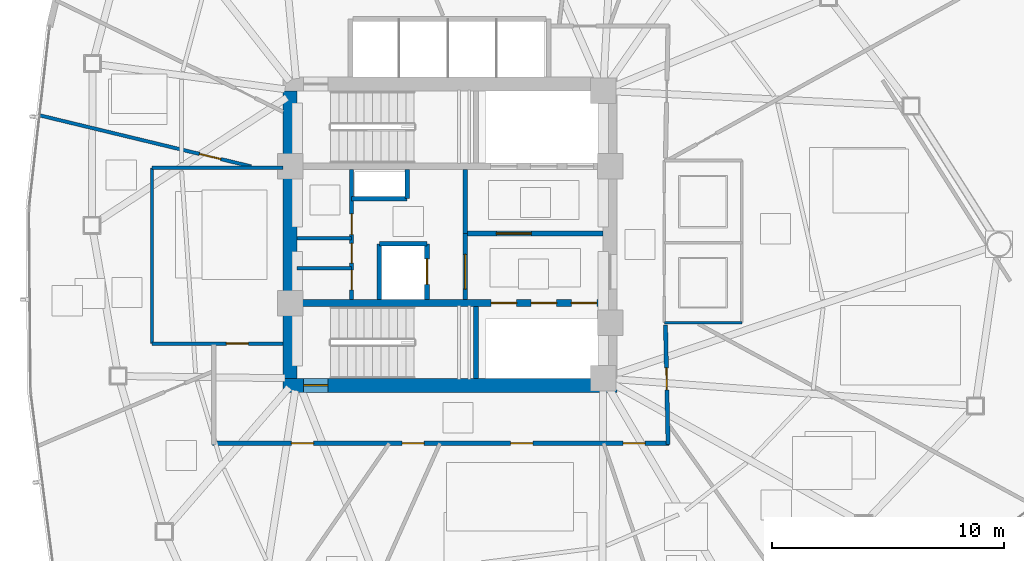
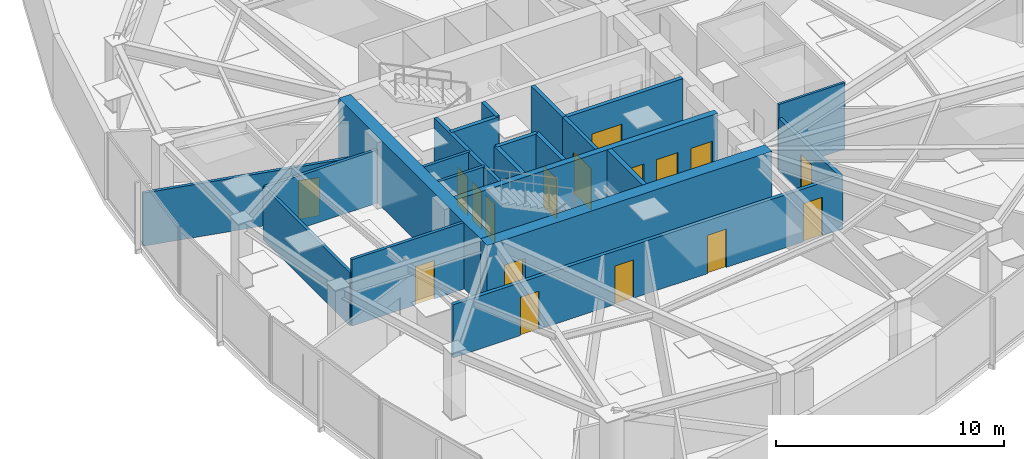
# One storey, part 12 of 18: 22 walls, 17 doors, 17 openings.
"""IFC4 building model written with IfcOpenShell, lengths in metres."""

from ifc_helpers import new_model, si_unit, direction, frame, frame_2d, origin, place, context, subcontext, project, spatial, rectangle, extrude, material, layer, layer_set, type_object, element, fill, save


model = new_model("IFC4")

# Units and contexts
model_context = context("Model", 3, precision=1e-05, world=origin(), true_north=direction((0.0, 1.0)))
body_context = subcontext(model_context, "Body", "Model", "MODEL_VIEW")
ifc_project = project(units=[si_unit("LENGTHUNIT", "METRE"), si_unit("AREAUNIT", "SQUARE_METRE"), si_unit("VOLUMEUNIT", "CUBIC_METRE"), si_unit("PLANEANGLEUNIT", "RADIAN"), si_unit("MASSUNIT", "GRAM", prefix="KILO")], contexts=[model_context])

# Site, building, storey
site_placement = place(None, origin())
site = spatial("IfcSite", under=ifc_project, at=site_placement, CompositionType="ELEMENT")
building_placement = place(site_placement, origin())
building = spatial("IfcBuilding", under=site, at=building_placement, Name="Tavelor Broadcast Tower", CompositionType="ELEMENT")
storey_placement = place(building_placement, frame((0.0, 0.0, 146.39990234375)))
storey = spatial("IfcBuildingStorey", under=building, at=storey_placement, Name="L34", CompositionType="ELEMENT", Elevation=146.39990234375)

# Wall, opening, door
ifc_material_1 = material(Name="Concrete C60/75", Category="concrete")
ifc_layer_1 = layer(ifc_material_1, 0.60009765625)
ifc_layer_set_1 = layer_set([ifc_layer_1], Name="Concrete C60/75")
wall_type_1 = type_object("IfcWallType", Name="Core Shear Wall 600 mm", PredefinedType="SHEAR", material=ifc_layer_set_1)
wall_1_placement = place(storey_placement, frame((42.800048828125, 38.5, 0.0), z_axis=(0.0, 0.0, 1.0), x_axis=(1.0, 0.0, 0.0)))
wall_1 = element("IfcWall", 1, at=wall_1_placement, inside=storey, type_object=wall_type_1, Name="L34 Central Core Shear Wall S", PredefinedType="SHEAR", context=body_context, shape_type="SweptSolid", body=[
    extrude(rectangle(XDim=14.39990234375, YDim=0.60009765625, at=frame_2d((7.199951171875, 0.0))), origin(), (0.0, 0.0, 1.0), 3.550048828125),
])
opening_1_placement = place(wall_1_placement, frame((0.8798828125, 0.0, 0.0)))
opening_1 = element("IfcOpeningElement", 2, at=opening_1_placement, cuts=wall_1, Name="Opening DR11", PredefinedType="OPENING", context=body_context, shape_type="SweptSolid", body=[
    extrude(rectangle(XDim=1.050048828125, YDim=2.199951171875, at=frame_2d((0.52490234375, 1.10009765625))), frame((0.0, 0.31005859375, 0.0), z_axis=(0.0, -1.0, 0.0), x_axis=(1.0, 0.0, 0.0)), (0.0, 0.0, 1.0), 0.6201171875),
])
ifc_material_2 = material(Name="Steel S355", Category="steel")
door_type_1 = type_object("IfcDoorType", Name="Stair Core Fire Escape Door 1050x2200", OperationType="NOTDEFINED", PredefinedType="DOOR", material=ifc_material_2)
door_1_placement = place(opening_1_placement, origin())
door_1 = element("IfcDoor", 3, at=door_1_placement, inside=storey, type_object=door_type_1, Name="L34 Stair ST2 Protected Exit Door", OperationType="SINGLE_SWING_RIGHT", OverallHeight=2.199951171875, OverallWidth=1.050048828125, PredefinedType="DOOR", context=body_context, shape_type="SweptSolid", body=[
    extrude(rectangle(XDim=1.050048828125, YDim=2.199951171875, at=frame_2d((0.52490234375, 1.10009765625))), frame((0.0, 0.02490234375, 0.0), z_axis=(0.0, -1.0, 0.0), x_axis=(1.0, 0.0, 0.0)), (0.0, 0.0, 1.0), 0.050048828125),
])
fill(opening_1, door_1)

# Wall
wall_2_placement = place(storey_placement, frame((43.10009765625, 38.800048828125, 0.0), z_axis=(0.0, 0.0, 1.0), x_axis=(0.0, 1.0, 0.0)))
element("IfcWall", 4, at=wall_2_placement, inside=storey, type_object=wall_type_1, Name="L34 Central Core Shear Wall W", PredefinedType="SHEAR", context=body_context, shape_type="SweptSolid", body=[
    extrude(rectangle(XDim=12.39990234375, YDim=0.60009765625, at=frame_2d((6.199951171875, 0.0))), origin(), (0.0, 0.0, 1.0), 3.550048828125),
])

# Wall, openings, doors
ifc_layer_2 = layer(ifc_material_1, 0.300048828125)
ifc_layer_set_2 = layer_set([ifc_layer_2], Name="Concrete C60/75")
wall_type_2 = type_object("IfcWallType", Name="Core Spine Shear Wall 300 mm C60", PredefinedType="SHEAR", material=ifc_layer_set_2)
wall_3_placement = place(storey_placement, frame((43.39990234375, 42.050048828125, 0.0), z_axis=(0.0, 0.0, 1.0), x_axis=(1.0, 0.0, 0.0)))
wall_3 = element("IfcWall", 5, at=wall_3_placement, inside=storey, type_object=wall_type_2, Name="L34 Central Core Shear Wall SP2", PredefinedType="SHEAR", context=body_context, shape_type="SweptSolid", body=[
    extrude(rectangle(XDim=13.2001953125, YDim=0.300048828125, at=frame_2d((6.60009765625, 0.0))), origin(), (0.0, 0.0, 1.0), 3.550048828125),
])
opening_2_placement = place(wall_3_placement, frame((8.3701171875, 0.0, 0.0)))
opening_2 = element("IfcOpeningElement", 6, at=opening_2_placement, cuts=wall_3, Name="Opening LD01", PredefinedType="OPENING", context=body_context, shape_type="SweptSolid", body=[
    extrude(rectangle(XDim=1.10009765625, YDim=2.14990234375, at=frame_2d((0.550048828125, 1.074951171875))), frame((0.0, 0.16015625, 0.0), z_axis=(0.0, -1.0, 0.0), x_axis=(1.0, 0.0, 0.0)), (0.0, 0.0, 1.0), 0.320068359375),
])
opening_3_placement = place(wall_3_placement, frame((10.090087890625, 0.0, 0.0)))
opening_3 = element("IfcOpeningElement", 7, at=opening_3_placement, cuts=wall_3, Name="Opening LD01", PredefinedType="OPENING", context=body_context, shape_type="SweptSolid", body=[
    extrude(rectangle(XDim=1.10009765625, YDim=2.14990234375, at=frame_2d((0.550048828125, 1.074951171875))), frame((0.0, 0.16015625, 0.0), z_axis=(0.0, -1.0, 0.0), x_axis=(1.0, 0.0, 0.0)), (0.0, 0.0, 1.0), 0.320068359375),
])
opening_4_placement = place(wall_3_placement, frame((11.830078125, 0.0, 0.0)))
opening_4 = element("IfcOpeningElement", 8, at=opening_4_placement, cuts=wall_3, Name="Opening LD01", PredefinedType="OPENING", context=body_context, shape_type="SweptSolid", body=[
    extrude(rectangle(XDim=1.10009765625, YDim=2.14990234375, at=frame_2d((0.550048828125, 1.074951171875))), frame((0.0, 0.16015625, 0.0), z_axis=(0.0, -1.0, 0.0), x_axis=(1.0, 0.0, 0.0)), (0.0, 0.0, 1.0), 0.320068359375),
])
ifc_material_3 = material(Name="Brushed Stainless Steel", Category="steel")
door_type_2 = type_object("IfcDoorType", Name="Passenger Lift Sliding Landing Door 1100x2150", OperationType="NOTDEFINED", PredefinedType="DOOR", material=ifc_material_3)
door_2_placement = place(opening_2_placement, origin())
door_2 = element("IfcDoor", 9, at=door_2_placement, inside=storey, type_object=door_type_2, Name="L34 Lift PLM1 Sliding Landing Door", OperationType="SLIDING_TO_LEFT", OverallHeight=2.14990234375, OverallWidth=1.10009765625, PredefinedType="DOOR", context=body_context, shape_type="SweptSolid", body=[
    extrude(rectangle(XDim=1.10009765625, YDim=2.14990234375, at=frame_2d((0.550048828125, 1.074951171875))), frame((0.0, 0.02490234375, 0.0), z_axis=(0.0, -1.0, 0.0), x_axis=(1.0, 0.0, 0.0)), (0.0, 0.0, 1.0), 0.050048828125),
])
fill(opening_2, door_2)
door_3_placement = place(opening_3_placement, origin())
door_3 = element("IfcDoor", 10, at=door_3_placement, inside=storey, type_object=door_type_2, Name="L34 Lift PLM2 Sliding Landing Door", OperationType="SLIDING_TO_LEFT", OverallHeight=2.14990234375, OverallWidth=1.10009765625, PredefinedType="DOOR", context=body_context, shape_type="SweptSolid", body=[
    extrude(rectangle(XDim=1.10009765625, YDim=2.14990234375, at=frame_2d((0.550048828125, 1.074951171875))), frame((0.0, 0.02490234375, 0.0), z_axis=(0.0, -1.0, 0.0), x_axis=(1.0, 0.0, 0.0)), (0.0, 0.0, 1.0), 0.050048828125),
])
fill(opening_3, door_3)
door_4_placement = place(opening_4_placement, origin())
door_4 = element("IfcDoor", 11, at=door_4_placement, inside=storey, type_object=door_type_2, Name="L34 Lift PLM3 Sliding Landing Door", OperationType="SLIDING_TO_LEFT", OverallHeight=2.14990234375, OverallWidth=1.10009765625, PredefinedType="DOOR", context=body_context, shape_type="SweptSolid", body=[
    extrude(rectangle(XDim=1.10009765625, YDim=2.14990234375, at=frame_2d((0.550048828125, 1.074951171875))), frame((0.0, 0.02490234375, 0.0), z_axis=(0.0, -1.0, 0.0), x_axis=(1.0, 0.0, 0.0)), (0.0, 0.0, 1.0), 0.050048828125),
])
fill(opening_4, door_4)

# Wall, opening, door
ifc_material_4 = material(Name="Calcium Silicate Fire Board 180 mm", Category="gypsum")
ifc_layer_3 = layer(ifc_material_4, 0.179931640625)
ifc_layer_set_3 = layer_set([ifc_layer_3], Name="Calcium Silicate Fire Board 180 mm")
wall_type_3 = type_object("IfcWallType", Name="Fire-Rated Corridor Partition Wall 180 mm", PredefinedType="PARTITIONING", material=ifc_layer_set_3)
wall_4_placement = place(storey_placement, frame((50.64990234375, 42.199951171875, 0.0), z_axis=(0.0, 0.0, 1.0), x_axis=(0.0, 1.0, 0.0)))
wall_4 = element("IfcWall", 12, at=wall_4_placement, inside=storey, type_object=wall_type_3, Name="L34 Core Lobby Zoning Wall", PredefinedType="PARTITIONING", context=body_context, shape_type="SweptSolid", body=[
    extrude(rectangle(XDim=2.85009765625, YDim=0.179931640625, at=frame_2d((1.425048828125, 0.0))), origin(), (0.0, 0.0, 1.0), 3.550048828125),
])
opening_5_placement = place(wall_4_placement, frame((0.449951171875, 0.0, 0.0)))
opening_5 = element("IfcOpeningElement", 13, at=opening_5_placement, cuts=wall_4, Name="Opening DR14", PredefinedType="OPENING", context=body_context, shape_type="SweptSolid", body=[
    extrude(rectangle(XDim=1.5, YDim=2.199951171875, at=frame_2d((0.75, 1.10009765625))), frame((0.0, 0.10009765625, 0.0), z_axis=(0.0, -1.0, 0.0), x_axis=(1.0, 0.0, 0.0)), (0.0, 0.0, 1.0), 0.199951171875),
])
door_type_3 = type_object("IfcDoorType", Name="Firefighting Lobby Double Fire Door 1500x2200", OperationType="NOTDEFINED", PredefinedType="DOOR", material=ifc_material_2)
door_5_placement = place(opening_5_placement, origin())
door_5 = element("IfcDoor", 14, at=door_5_placement, inside=storey, type_object=door_type_3, Name="L34 Core West Lobby Double Fire Door", OperationType="SINGLE_SWING_LEFT", OverallHeight=2.199951171875, OverallWidth=1.5, PredefinedType="DOOR", context=body_context, shape_type="SweptSolid", body=[
    extrude(rectangle(XDim=1.5, YDim=2.199951171875, at=frame_2d((0.75, 1.10009765625))), frame((0.0, 0.02490234375, 0.0), z_axis=(0.0, -1.0, 0.0), x_axis=(1.0, 0.0, 0.0)), (0.0, 0.0, 1.0), 0.050048828125),
])
fill(opening_5, door_5)

# Wall, openings, doors
wall_5_placement = place(storey_placement, frame((45.75, 42.199951171875, 0.0), z_axis=(0.0, 0.0, 1.0), x_axis=(0.0, 1.0, 0.0)))
wall_5 = element("IfcWall", 15, at=wall_5_placement, inside=storey, type_object=wall_type_3, Name="L34 Core West Service East Wall", PredefinedType="PARTITIONING", context=body_context, shape_type="SweptSolid", body=[
    extrude(rectangle(XDim=5.60009765625, YDim=0.179931640625, at=frame_2d((2.800048828125, 0.0))), origin(), (0.0, 0.0, 1.0), 3.550048828125),
])
opening_6_placement = place(wall_5_placement, frame((0.419921875, 0.0, 0.0)))
opening_6 = element("IfcOpeningElement", 16, at=opening_6_placement, cuts=wall_5, Name="Opening DR36", PredefinedType="OPENING", context=body_context, shape_type="SweptSolid", body=[
    extrude(rectangle(XDim=0.85009765625, YDim=2.050048828125, at=frame_2d((0.425048828125, 1.02490234375))), frame((0.0, 0.10009765625, 0.0), z_axis=(0.0, -1.0, 0.0), x_axis=(1.0, 0.0, 0.0)), (0.0, 0.0, 1.0), 0.199951171875),
])
opening_7_placement = place(wall_5_placement, frame((1.570068359375, 0.0, 0.0)))
opening_7 = element("IfcOpeningElement", 17, at=opening_7_placement, cuts=wall_5, Name="Opening DR36", PredefinedType="OPENING", context=body_context, shape_type="SweptSolid", body=[
    extrude(rectangle(XDim=0.85009765625, YDim=2.050048828125, at=frame_2d((0.425048828125, 1.02490234375))), frame((0.0, 0.10009765625, 0.0), z_axis=(0.0, -1.0, 0.0), x_axis=(1.0, 0.0, 0.0)), (0.0, 0.0, 1.0), 0.199951171875),
])
opening_8_placement = place(wall_5_placement, frame((2.800048828125, 0.0, 0.0)))
opening_8 = element("IfcOpeningElement", 18, at=opening_8_placement, cuts=wall_5, Name="Opening DR32", PredefinedType="OPENING", context=body_context, shape_type="SweptSolid", body=[
    extrude(rectangle(XDim=0.89990234375, YDim=2.050048828125, at=frame_2d((0.449951171875, 1.02490234375))), frame((0.0, 0.10009765625, 0.0), z_axis=(0.0, -1.0, 0.0), x_axis=(1.0, 0.0, 0.0)), (0.0, 0.0, 1.0), 0.199951171875),
])
ifc_material_5 = material(Name="Timber Solid Core Hardwood", Category="wood")
door_type_4 = type_object("IfcDoorType", Name="Accessible Washroom Door 900x2050", OperationType="NOTDEFINED", PredefinedType="DOOR", material=ifc_material_5)
door_6_placement = place(opening_8_placement, origin())
door_6 = element("IfcDoor", 19, at=door_6_placement, inside=storey, type_object=door_type_4, Name="L34 Core Accessible WC Door", OperationType="SINGLE_SWING_LEFT", OverallHeight=2.050048828125, OverallWidth=0.89990234375, PredefinedType="DOOR", context=body_context, shape_type="SweptSolid", body=[
    extrude(rectangle(XDim=0.89990234375, YDim=2.050048828125, at=frame_2d((0.449951171875, 1.02490234375))), frame((0.0, 0.02490234375, 0.0), z_axis=(0.0, -1.0, 0.0), x_axis=(1.0, 0.0, 0.0)), (0.0, 0.0, 1.0), 0.050048828125),
])
fill(opening_8, door_6)
door_type_5 = type_object("IfcDoorType", Name="Service Room Fire Door 850x2050", OperationType="NOTDEFINED", PredefinedType="DOOR", material=ifc_material_2)
door_7_placement = place(opening_6_placement, origin())
door_7 = element("IfcDoor", 20, at=door_7_placement, inside=storey, type_object=door_type_5, Name="L34 Core Medical Room Door", OperationType="SINGLE_SWING_LEFT", OverallHeight=2.050048828125, OverallWidth=0.85009765625, PredefinedType="DOOR", context=body_context, shape_type="SweptSolid", body=[
    extrude(rectangle(XDim=0.85009765625, YDim=2.050048828125, at=frame_2d((0.425048828125, 1.02490234375))), frame((0.0, 0.02490234375, 0.0), z_axis=(0.0, -1.0, 0.0), x_axis=(1.0, 0.0, 0.0)), (0.0, 0.0, 1.0), 0.050048828125),
])
fill(opening_6, door_7)
door_8_placement = place(opening_7_placement, origin())
door_8 = element("IfcDoor", 21, at=door_8_placement, inside=storey, type_object=door_type_5, Name="L34 Core Copy Room Door", OperationType="SINGLE_SWING_RIGHT", OverallHeight=2.050048828125, OverallWidth=0.85009765625, PredefinedType="DOOR", context=body_context, shape_type="SweptSolid", body=[
    extrude(rectangle(XDim=0.85009765625, YDim=2.050048828125, at=frame_2d((0.425048828125, 1.02490234375))), frame((0.0, 0.02490234375, 0.0), z_axis=(0.0, -1.0, 0.0), x_axis=(1.0, 0.0, 0.0)), (0.0, 0.0, 1.0), 0.050048828125),
])
fill(opening_7, door_8)

# Wall, opening, door
wall_6_placement = place(storey_placement, frame((59.291015625, 41.10009765625, 0.0), z_axis=(0.0, 0.0, 1.0), x_axis=(0.021374589398, -0.999771537366, 0.0)))
wall_6 = element("IfcWall", 22, at=wall_6_placement, inside=storey, type_object=wall_type_3, Name="L34 Corridor Compartment Wall 03", PredefinedType="PARTITIONING", context=body_context, shape_type="SweptSolid", body=[
    extrude(rectangle(XDim=5.1513671875, YDim=0.179931640625, at=frame_2d((2.57568359375, 0.0))), origin(), (0.0, 0.0, 1.0), 2.835205078125),
])
opening_9_placement = place(wall_6_placement, frame((1.8486328125, 0.0, 0.0)))
opening_9 = element("IfcOpeningElement", 23, at=opening_9_placement, cuts=wall_6, Name="Opening DR18", PredefinedType="OPENING", context=body_context, shape_type="SweptSolid", body=[
    extrude(rectangle(XDim=0.949951171875, YDim=2.050048828125, at=frame_2d((0.47509765625, 1.02490234375))), frame((0.0, 0.10009765625, 0.0), z_axis=(0.0, -1.0, 0.0), x_axis=(1.0, 0.0, 0.0)), (0.0, 0.0, 1.0), 0.199951171875),
])
door_type_6 = type_object("IfcDoorType", Name="Corridor Rated Compartment Door 950x2050", OperationType="NOTDEFINED", PredefinedType="DOOR", material=ifc_material_5)
door_9_placement = place(opening_9_placement, origin())
door_9 = element("IfcDoor", 24, at=door_9_placement, inside=storey, type_object=door_type_6, Name="L34 Media Content Workshop Door R1", OperationType="SINGLE_SWING_LEFT", OverallHeight=2.050048828125, OverallWidth=0.949951171875, PredefinedType="DOOR", context=body_context, shape_type="SweptSolid", body=[
    extrude(rectangle(XDim=0.949951171875, YDim=2.050048828125, at=frame_2d((0.47509765625, 1.02490234375))), frame((0.0, 0.02490234375, 0.0), z_axis=(0.0, -1.0, 0.0), x_axis=(1.0, 0.0, 0.0)), (0.0, 0.0, 1.0), 0.050048828125),
])
fill(opening_9, door_9)

# Wall, openings, doors
wall_7_placement = place(storey_placement, frame((59.449951171875, 36.0, 0.0), z_axis=(0.0, 0.0, 1.0), x_axis=(-1.0, 0.0, 0.0)))
wall_7 = element("IfcWall", 25, at=wall_7_placement, inside=storey, type_object=wall_type_3, Name="L34 Corridor Compartment Wall 04", PredefinedType="PARTITIONING", context=body_context, shape_type="SweptSolid", body=[
    extrude(rectangle(XDim=19.699951171875, YDim=0.179931640625, at=frame_2d((9.85009765625, 0.0))), origin(), (0.0, 0.0, 1.0), 2.835205078125),
])
opening_10_placement = place(wall_7_placement, frame((1.03515625, 0.0, 0.0)))
opening_10 = element("IfcOpeningElement", 26, at=opening_10_placement, cuts=wall_7, Name="Opening DR18", PredefinedType="OPENING", context=body_context, shape_type="SweptSolid", body=[
    extrude(rectangle(XDim=0.949951171875, YDim=2.050048828125, at=frame_2d((0.47509765625, 1.02490234375))), frame((0.0, 0.10009765625, 0.0), z_axis=(0.0, -1.0, 0.0), x_axis=(1.0, 0.0, 0.0)), (0.0, 0.0, 1.0), 0.199951171875),
])
opening_11_placement = place(wall_7_placement, frame((5.885498046875, 0.0, 0.0)))
opening_11 = element("IfcOpeningElement", 27, at=opening_11_placement, cuts=wall_7, Name="Opening DR18", PredefinedType="OPENING", context=body_context, shape_type="SweptSolid", body=[
    extrude(rectangle(XDim=0.949951171875, YDim=2.050048828125, at=frame_2d((0.47509765625, 1.02490234375))), frame((0.0, 0.10009765625, 0.0), z_axis=(0.0, -1.0, 0.0), x_axis=(1.0, 0.0, 0.0)), (0.0, 0.0, 1.0), 0.199951171875),
])
opening_12_placement = place(wall_7_placement, frame((10.56689453125, 0.0, 0.0)))
opening_12 = element("IfcOpeningElement", 28, at=opening_12_placement, cuts=wall_7, Name="Opening DR18", PredefinedType="OPENING", context=body_context, shape_type="SweptSolid", body=[
    extrude(rectangle(XDim=0.949951171875, YDim=2.050048828125, at=frame_2d((0.47509765625, 1.02490234375))), frame((0.0, 0.10009765625, 0.0), z_axis=(0.0, -1.0, 0.0), x_axis=(1.0, 0.0, 0.0)), (0.0, 0.0, 1.0), 0.199951171875),
])
opening_13_placement = place(wall_7_placement, frame((15.342529296875, 0.0, 0.0)))
opening_13 = element("IfcOpeningElement", 29, at=opening_13_placement, cuts=wall_7, Name="Opening DR18", PredefinedType="OPENING", context=body_context, shape_type="SweptSolid", body=[
    extrude(rectangle(XDim=0.949951171875, YDim=2.050048828125, at=frame_2d((0.47509765625, 1.02490234375))), frame((0.0, 0.10009765625, 0.0), z_axis=(0.0, -1.0, 0.0), x_axis=(1.0, 0.0, 0.0)), (0.0, 0.0, 1.0), 0.199951171875),
])
door_10_placement = place(opening_10_placement, origin())
door_10 = element("IfcDoor", 30, at=door_10_placement, inside=storey, type_object=door_type_6, Name="L34 Music Mixing Workshop Door R2", OperationType="SINGLE_SWING_RIGHT", OverallHeight=2.050048828125, OverallWidth=0.949951171875, PredefinedType="DOOR", context=body_context, shape_type="SweptSolid", body=[
    extrude(rectangle(XDim=0.949951171875, YDim=2.050048828125, at=frame_2d((0.47509765625, 1.02490234375))), frame((0.0, 0.02490234375, 0.0), z_axis=(0.0, -1.0, 0.0), x_axis=(1.0, 0.0, 0.0)), (0.0, 0.0, 1.0), 0.050048828125),
])
fill(opening_10, door_10)
door_11_placement = place(opening_11_placement, origin())
door_11 = element("IfcDoor", 31, at=door_11_placement, inside=storey, type_object=door_type_6, Name="L34 Quiet Listening Room Door R3", OperationType="SINGLE_SWING_LEFT", OverallHeight=2.050048828125, OverallWidth=0.949951171875, PredefinedType="DOOR", context=body_context, shape_type="SweptSolid", body=[
    extrude(rectangle(XDim=0.949951171875, YDim=2.050048828125, at=frame_2d((0.47509765625, 1.02490234375))), frame((0.0, 0.02490234375, 0.0), z_axis=(0.0, -1.0, 0.0), x_axis=(1.0, 0.0, 0.0)), (0.0, 0.0, 1.0), 0.050048828125),
])
fill(opening_11, door_11)
door_12_placement = place(opening_12_placement, origin())
door_12 = element("IfcDoor", 32, at=door_12_placement, inside=storey, type_object=door_type_6, Name="L34 Broadcast Craft Workshop Door R4", OperationType="SINGLE_SWING_RIGHT", OverallHeight=2.050048828125, OverallWidth=0.949951171875, PredefinedType="DOOR", context=body_context, shape_type="SweptSolid", body=[
    extrude(rectangle(XDim=0.949951171875, YDim=2.050048828125, at=frame_2d((0.47509765625, 1.02490234375))), frame((0.0, 0.02490234375, 0.0), z_axis=(0.0, -1.0, 0.0), x_axis=(1.0, 0.0, 0.0)), (0.0, 0.0, 1.0), 0.050048828125),
])
fill(opening_12, door_12)
door_13_placement = place(opening_13_placement, origin())
door_13 = element("IfcDoor", 33, at=door_13_placement, inside=storey, type_object=door_type_6, Name="L34 Wellness Quiet Room Door R5", OperationType="SINGLE_SWING_LEFT", OverallHeight=2.050048828125, OverallWidth=0.949951171875, PredefinedType="DOOR", context=body_context, shape_type="SweptSolid", body=[
    extrude(rectangle(XDim=0.949951171875, YDim=2.050048828125, at=frame_2d((0.47509765625, 1.02490234375))), frame((0.0, 0.02490234375, 0.0), z_axis=(0.0, -1.0, 0.0), x_axis=(1.0, 0.0, 0.0)), (0.0, 0.0, 1.0), 0.050048828125),
])
fill(opening_13, door_13)

# Walls
ifc_material_6 = material(Name="Gypsum Acoustic Plasterboard 150 mm", Category="gypsum")
ifc_layer_4 = layer(ifc_material_6, 0.14990234375)
ifc_layer_set_4 = layer_set([ifc_layer_4], Name="Gypsum Acoustic Plasterboard 150 mm")
wall_type_4 = type_object("IfcWallType", Name="Interior Acoustic Partition Wall 150 mm", PredefinedType="PARTITIONING", material=ifc_layer_set_4)
for number, where, z_axis, x_axis, name in (
    (34, (43.39990234375, 43.550048828125, 0.0), (0.0, 0.0, 1.0), (1.0, 0.0, 0.0), "L34 Core Split Wall B1"),
    (35, (43.39990234375, 44.85009765625, 0.0), (0.0, 0.0, 1.0), (1.0, 0.0, 0.0), "L34 Core Split Wall B2"),
):
    element("IfcWall", number, at=place(storey_placement, frame(where, z_axis=z_axis, x_axis=x_axis)), inside=storey, type_object=wall_type_4, Name=name, PredefinedType="PARTITIONING", context=body_context, shape_type="SweptSolid", body=[
        extrude(rectangle(XDim=2.35009765625, YDim=0.14990234375, at=frame_2d((1.175048828125, 0.0))), origin(), (0.0, 0.0, 1.0), 3.550048828125),
    ])

# Wall, opening, door
wall_8_placement = place(storey_placement, frame((37.139892578125, 40.300048828125, 0.0), z_axis=(0.0, 0.0, 1.0), x_axis=(1.0, 0.0, 0.0)))
wall_8 = element("IfcWall", 36, at=wall_8_placement, inside=storey, type_object=wall_type_4, Name="L34 Reclaimed Shaft Pantry South Wall", PredefinedType="PARTITIONING", context=body_context, shape_type="SweptSolid", body=[
    extrude(rectangle(XDim=5.66015625, YDim=0.14990234375, at=frame_2d((2.830078125, 0.0))), origin(), (0.0, 0.0, 1.0), 3.550048828125),
])
opening_14_placement = place(wall_8_placement, frame((3.2099609375, 0.0, 0.0)))
opening_14 = element("IfcOpeningElement", 37, at=opening_14_placement, cuts=wall_8, Name="Opening DR18", PredefinedType="OPENING", context=body_context, shape_type="SweptSolid", body=[
    extrude(rectangle(XDim=0.949951171875, YDim=2.050048828125, at=frame_2d((0.47509765625, 1.02490234375))), frame((0.0, 0.0849609375, 0.0), z_axis=(0.0, -1.0, 0.0), x_axis=(1.0, 0.0, 0.0)), (0.0, 0.0, 1.0), 0.169921875),
])
door_14_placement = place(opening_14_placement, origin())
door_14 = element("IfcDoor", 38, at=door_14_placement, inside=storey, type_object=door_type_6, Name="L34 Broadcast IT Patch and Pantry Door", OperationType="SINGLE_SWING_LEFT", OverallHeight=2.050048828125, OverallWidth=0.949951171875, PredefinedType="DOOR", context=body_context, shape_type="SweptSolid", body=[
    extrude(rectangle(XDim=0.949951171875, YDim=2.050048828125, at=frame_2d((0.47509765625, 1.02490234375))), frame((0.0, 0.02490234375, 0.0), z_axis=(0.0, -1.0, 0.0), x_axis=(1.0, 0.0, 0.0)), (0.0, 0.0, 1.0), 0.050048828125),
])
fill(opening_14, door_14)

# Walls
wall_9_placement = place(storey_placement, frame((37.139892578125, 40.300048828125, 0.0), z_axis=(0.0, 0.0, 1.0), x_axis=(0.0, 1.0, 0.0)))
element("IfcWall", 39, at=wall_9_placement, inside=storey, type_object=wall_type_4, Name="L34 Reclaimed Shaft Pantry West Wall", PredefinedType="PARTITIONING", context=body_context, shape_type="SweptSolid", body=[
    extrude(rectangle(XDim=7.579833984375, YDim=0.14990234375, at=frame_2d((3.7900390625, 0.0))), origin(), (0.0, 0.0, 1.0), 2.835205078125),
])
wall_10_placement = place(storey_placement, frame((37.139892578125, 47.8798828125, 0.0), z_axis=(0.0, 0.0, 1.0), x_axis=(1.0, 0.0, 0.0)))
element("IfcWall", 40, at=wall_10_placement, inside=storey, type_object=wall_type_4, Name="L34 Reclaimed Shaft Pantry North Wall", PredefinedType="PARTITIONING", context=body_context, shape_type="SweptSolid", body=[
    extrude(rectangle(XDim=5.66015625, YDim=0.14990234375, at=frame_2d((2.830078125, 0.0))), origin(), (0.0, 0.0, 1.0), 2.835205078125),
])

# Wall, opening, door
wall_11_placement = place(storey_placement, frame((41.42578125, 47.93994140625, 0.0), z_axis=(0.0, 0.0, 1.0), x_axis=(-0.972057104036, 0.234744513233, 0.0)))
wall_11 = element("IfcWall", 41, at=wall_11_placement, inside=storey, type_object=wall_type_4, Name="L34 Radial Compartment Wall 06", PredefinedType="PARTITIONING", context=body_context, shape_type="SweptSolid", body=[
    extrude(rectangle(XDim=9.41015625, YDim=0.14990234375, at=frame_2d((4.705078125, 0.0))), origin(), (0.0, 0.0, 1.0), 2.835205078125),
])
opening_15_placement = place(wall_11_placement, frame((1.35009765625, 0.0, 0.0)))
opening_15 = element("IfcOpeningElement", 42, at=opening_15_placement, cuts=wall_11, Name="Opening DR18", PredefinedType="OPENING", context=body_context, shape_type="SweptSolid", body=[
    extrude(rectangle(XDim=0.949951171875, YDim=2.050048828125, at=frame_2d((0.47509765625, 1.02490234375))), frame((0.0, 0.0849609375, 0.0), z_axis=(0.0, -1.0, 0.0), x_axis=(1.0, 0.0, 0.0)), (0.0, 0.0, 1.0), 0.169921875),
])
door_15_placement = place(opening_15_placement, origin())
door_15 = element("IfcDoor", 43, at=door_15_placement, inside=storey, type_object=door_type_6, Name="L34 Suite Connecting Door 8", OperationType="SINGLE_SWING_LEFT", OverallHeight=2.050048828125, OverallWidth=0.949951171875, PredefinedType="DOOR", context=body_context, shape_type="SweptSolid", body=[
    extrude(rectangle(XDim=0.949951171875, YDim=2.050048828125, at=frame_2d((0.47509765625, 1.02490234375))), frame((0.0, 0.02490234375, 0.0), z_axis=(0.0, -1.0, 0.0), x_axis=(1.0, 0.0, 0.0)), (0.0, 0.0, 1.0), 0.050048828125),
])
fill(opening_15, door_15)

ifc_material_7 = material(Name="Concrete Blockwork 200 mm", Category="masonry")
ifc_layer_5 = layer(ifc_material_7, 0.199951171875)
ifc_layer_set_5 = layer_set([ifc_layer_5], Name="Concrete Blockwork 200 mm")
wall_type_5 = type_object("IfcWallType", Name="Lift Hoistway Rated Front Wall 200 mm", PredefinedType="PARTITIONING", material=ifc_layer_set_5)
wall_12_placement = place(storey_placement, frame((49.0, 42.199951171875, 0.0), z_axis=(0.0, 0.0, 1.0), x_axis=(0.0, 1.0, 0.0)))
wall_12 = element("IfcWall", 44, at=wall_12_placement, inside=storey, type_object=wall_type_5, Name="L34 Mid-Rise Lift PLM4 Hoistway Front Wall", PredefinedType="PARTITIONING", context=body_context, shape_type="SweptSolid", body=[
    extrude(rectangle(XDim=2.400146484375, YDim=0.199951171875, at=frame_2d((1.2001953125, 0.0))), origin(), (0.0, 0.0, 1.0), 3.550048828125),
])
opening_16_placement = place(wall_12_placement, frame((0.64990234375, 0.0, 0.0)))
opening_16 = element("IfcOpeningElement", 45, at=opening_16_placement, cuts=wall_12, Name="Opening LD01", PredefinedType="OPENING", context=body_context, shape_type="SweptSolid", body=[
    extrude(rectangle(XDim=1.10009765625, YDim=2.14990234375, at=frame_2d((0.550048828125, 1.074951171875))), frame((0.0, 0.10986328125, 0.0), z_axis=(0.0, -1.0, 0.0), x_axis=(1.0, 0.0, 0.0)), (0.0, 0.0, 1.0), 0.219970703125),
])
door_16_placement = place(opening_16_placement, origin())
door_16 = element("IfcDoor", 46, at=door_16_placement, inside=storey, type_object=door_type_2, Name="L34 Lift PLM4 Sliding Landing Door", OperationType="SLIDING_TO_RIGHT", OverallHeight=2.14990234375, OverallWidth=1.10009765625, PredefinedType="DOOR", context=body_context, shape_type="SweptSolid", body=[
    extrude(rectangle(XDim=1.10009765625, YDim=2.14990234375, at=frame_2d((0.550048828125, 1.074951171875))), frame((0.0, 0.02490234375, 0.0), z_axis=(0.0, -1.0, 0.0), x_axis=(1.0, 0.0, 0.0)), (0.0, 0.0, 1.0), 0.050048828125),
])
fill(opening_16, door_16)

# Walls
ifc_layer_6 = layer(ifc_material_7, 0.199951171875)
ifc_layer_set_6 = layer_set([ifc_layer_6], Name="Concrete Blockwork 200 mm")
wall_type_6 = type_object("IfcWallType", Name="Lift and Riser Shaft Enclosure Wall 200 mm", PredefinedType="PARTITIONING", material=ifc_layer_set_6)
wall_13_placement = place(storey_placement, frame((45.75, 46.550048828125, 0.0), z_axis=(0.0, 0.0, 1.0), x_axis=(1.0, 0.0, 0.0)))
element("IfcWall", 47, at=wall_13_placement, inside=storey, type_object=wall_type_6, Name="L34 Riser Shaft South Wall", PredefinedType="PARTITIONING", context=body_context, shape_type="SweptSolid", body=[
    extrude(rectangle(XDim=2.39990234375, YDim=0.199951171875, at=frame_2d((1.199951171875, 0.0))), origin(), (0.0, 0.0, 1.0), 3.550048828125),
])
wall_14_placement = place(storey_placement, frame((48.14990234375, 46.550048828125, 0.0), z_axis=(0.0, 0.0, 1.0), x_axis=(0.0, 1.0, 0.0)))
element("IfcWall", 48, at=wall_14_placement, inside=storey, type_object=wall_type_6, Name="L34 Riser Shaft East Wall", PredefinedType="PARTITIONING", context=body_context, shape_type="SweptSolid", body=[
    extrude(rectangle(XDim=1.25, YDim=0.199951171875, at=frame_2d((0.625, 0.0))), origin(), (0.0, 0.0, 1.0), 3.550048828125),
])
wall_15_placement = place(storey_placement, frame((46.949951171875, 42.199951171875, 0.0), z_axis=(0.0, 0.0, 1.0), x_axis=(0.0, 1.0, 0.0)))
element("IfcWall", 49, at=wall_15_placement, inside=storey, type_object=wall_type_6, Name="L34 Mid-Rise Lift PLM4 West Wall", PredefinedType="PARTITIONING", context=body_context, shape_type="SweptSolid", body=[
    extrude(rectangle(XDim=2.400146484375, YDim=0.199951171875, at=frame_2d((1.2001953125, 0.0))), origin(), (0.0, 0.0, 1.0), 3.550048828125),
])
wall_16_placement = place(storey_placement, frame((46.949951171875, 44.60009765625, 0.0), z_axis=(0.0, 0.0, 1.0), x_axis=(1.0, 0.0, 0.0)))
element("IfcWall", 50, at=wall_16_placement, inside=storey, type_object=wall_type_6, Name="L34 Mid-Rise Lift PLM4 North Wall", PredefinedType="PARTITIONING", context=body_context, shape_type="SweptSolid", body=[
    extrude(rectangle(XDim=2.050048828125, YDim=0.199951171875, at=frame_2d((1.02490234375, 0.0))), origin(), (0.0, 0.0, 1.0), 3.550048828125),
])

# Wall, opening, door
wall_17_placement = place(storey_placement, frame((50.64990234375, 45.050048828125, 0.0), z_axis=(0.0, 0.0, 1.0), x_axis=(1.0, 0.0, 0.0)))
wall_17 = element("IfcWall", 51, at=wall_17_placement, inside=storey, type_object=wall_type_6, Name="L34 Firefighting Lobby South Wall", PredefinedType="PARTITIONING", context=body_context, shape_type="SweptSolid", body=[
    extrude(rectangle(XDim=5.9501953125, YDim=0.199951171875, at=frame_2d((2.97509765625, 0.0))), origin(), (0.0, 0.0, 1.0), 3.550048828125),
])
opening_17_placement = place(wall_17_placement, frame((1.35009765625, 0.0, 0.0)))
opening_17 = element("IfcOpeningElement", 52, at=opening_17_placement, cuts=wall_17, Name="Opening DR14", PredefinedType="OPENING", context=body_context, shape_type="SweptSolid", body=[
    extrude(rectangle(XDim=1.5, YDim=2.199951171875, at=frame_2d((0.75, 1.10009765625))), frame((0.0, 0.10986328125, 0.0), z_axis=(0.0, -1.0, 0.0), x_axis=(1.0, 0.0, 0.0)), (0.0, 0.0, 1.0), 0.219970703125),
])
door_17_placement = place(opening_17_placement, origin())
door_17 = element("IfcDoor", 53, at=door_17_placement, inside=storey, type_object=door_type_3, Name="L34 Firefighting Lobby Compartment Door", OperationType="SINGLE_SWING_RIGHT", OverallHeight=2.199951171875, OverallWidth=1.5, PredefinedType="DOOR", context=body_context, shape_type="SweptSolid", body=[
    extrude(rectangle(XDim=1.5, YDim=2.199951171875, at=frame_2d((0.75, 1.10009765625))), frame((0.0, 0.02490234375, 0.0), z_axis=(0.0, -1.0, 0.0), x_axis=(1.0, 0.0, 0.0)), (0.0, 0.0, 1.0), 0.050048828125),
])
fill(opening_17, door_17)

# Walls
wall_18_placement = place(storey_placement, frame((50.64990234375, 45.050048828125, 0.0), z_axis=(0.0, 0.0, 1.0), x_axis=(0.0, 1.0, 0.0)))
element("IfcWall", 54, at=wall_18_placement, inside=storey, type_object=wall_type_6, Name="L34 Firefighting Lobby West Wall", PredefinedType="PARTITIONING", context=body_context, shape_type="SweptSolid", body=[
    extrude(rectangle(XDim=2.75, YDim=0.199951171875, at=frame_2d((1.375, 0.0))), origin(), (0.0, 0.0, 1.0), 3.550048828125),
])
ifc_material_8 = material(Name="Moisture-Resistant Plasterboard 120 mm", Category="gypsum")
ifc_layer_7 = layer(ifc_material_8, 0.1201171875)
ifc_layer_set_7 = layer_set([ifc_layer_7], Name="Moisture-Resistant Plasterboard 120 mm")
wall_type_7 = type_object("IfcWallType", Name="Moisture-Resistant Wet-Room Partition 120 mm", PredefinedType="PARTITIONING", material=ifc_layer_set_7)
wall_19_placement = place(storey_placement, frame((59.239990234375, 41.199951171875, 0.0), z_axis=(0.0, 0.0, 1.0), x_axis=(1.0, 0.0, 0.0)))
element("IfcWall", 55, at=wall_19_placement, inside=storey, type_object=wall_type_7, Name="L34 Floor Washrooms South Wall", PredefinedType="PARTITIONING", context=body_context, shape_type="SweptSolid", body=[
    extrude(rectangle(XDim=3.340087890625, YDim=0.1201171875, at=frame_2d((1.669921875, 0.0))), origin(), (0.0, 0.0, 1.0), 3.550048828125),
])
ifc_material_9 = material(Name="Concrete C40/50", Category="concrete")
ifc_layer_8 = layer(ifc_material_9, 0.219970703125)
ifc_layer_set_8 = layer_set([ifc_layer_8], Name="Concrete C40/50")
wall_type_8 = type_object("IfcWallType", Name="Structural Stairwell Shear Wall 220 mm", PredefinedType="SHEAR", material=ifc_layer_set_8)
wall_20_placement = place(storey_placement, frame((51.110107421875, 38.800048828125, 0.0), z_axis=(0.0, 0.0, 1.0), x_axis=(0.0, 1.0, 0.0)))
element("IfcWall", 56, at=wall_20_placement, inside=storey, type_object=wall_type_8, Name="L34 Stair ST2 Structural Shaft Wall", PredefinedType="SHEAR", context=body_context, shape_type="SweptSolid", body=[
    extrude(rectangle(XDim=3.099853515625, YDim=0.219970703125, at=frame_2d((1.5498046875, 0.0))), origin(), (0.0, 0.0, 1.0), 3.550048828125),
])

save(model, "model.ifc")
